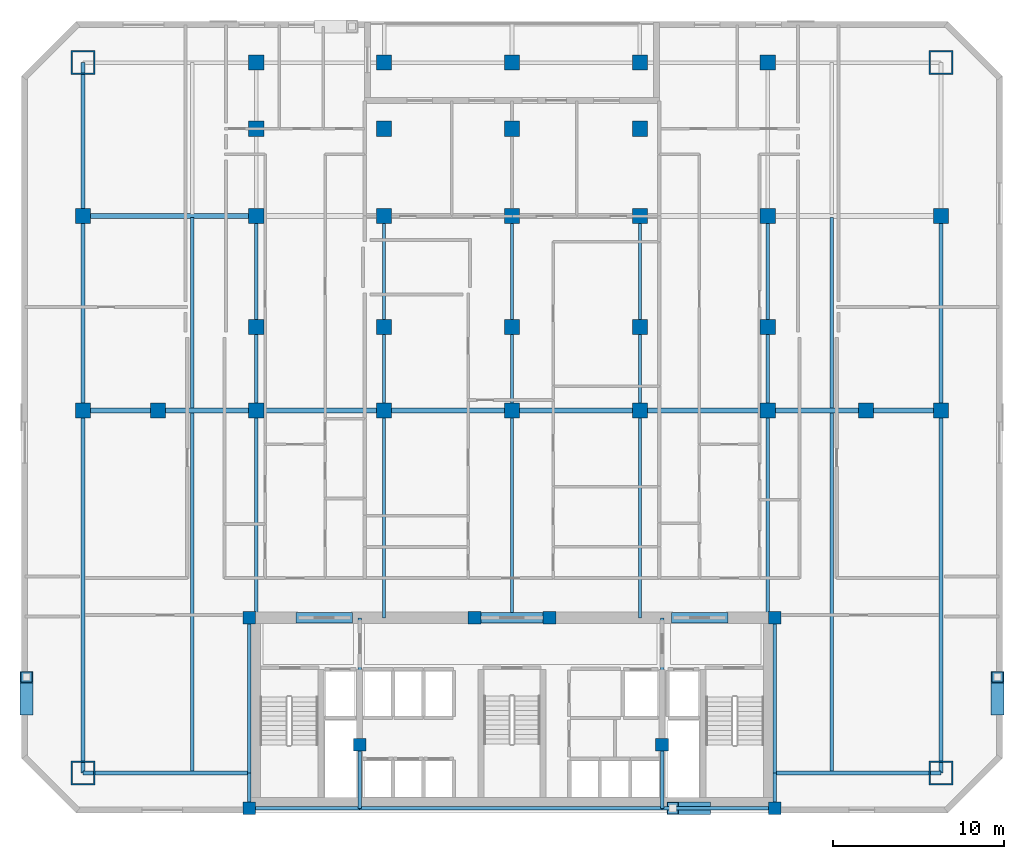
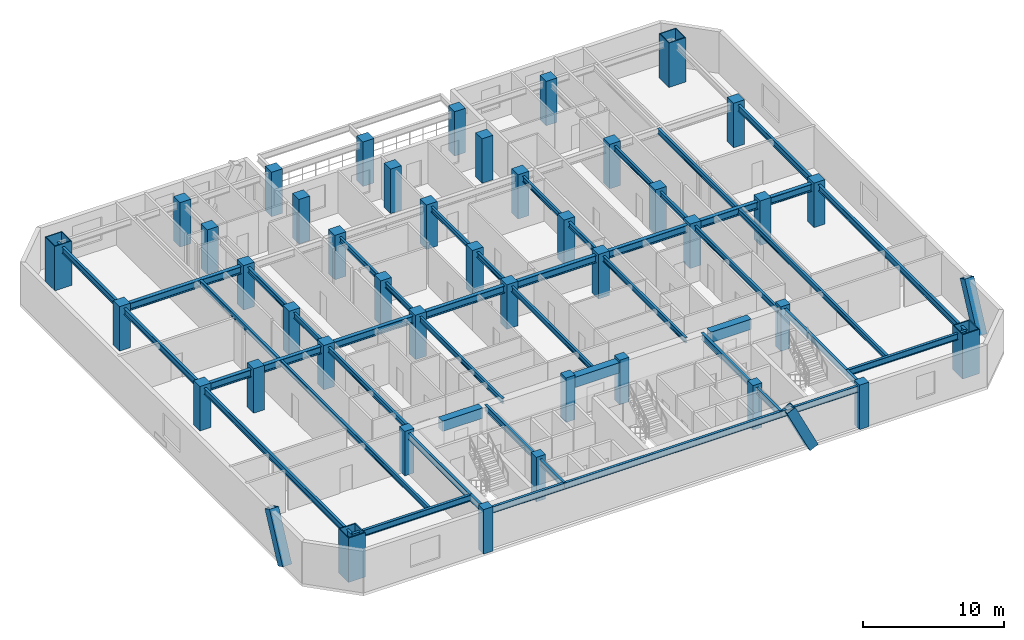
# One storey, part 1 of 9: 44 beams, 42 columns, 3 members.
"""IFC4 building model written with IfcOpenShell, lengths in metres."""

from ifc_helpers import new_model, si_unit, direction, frame, origin, origin_2d, place, context, subcontext, project, spatial, rectangle, hollow_rectangle, i_section, extrude, material, material_profile, profile_set, type_object, element, save


model = new_model("IFC4")

# Units and contexts
model_context = context("Model", 3, precision=1e-05, world=origin(), true_north=direction((0.0, 1.0)))
body_context = subcontext(model_context, "Body", "Model", "MODEL_VIEW")
ifc_project = project(units=[si_unit("LENGTHUNIT", "METRE"), si_unit("AREAUNIT", "SQUARE_METRE"), si_unit("VOLUMEUNIT", "CUBIC_METRE"), si_unit("PLANEANGLEUNIT", "RADIAN"), si_unit("MASSUNIT", "GRAM", prefix="KILO")], contexts=[model_context])

# Site, building, storey
site_placement = place(None, origin())
site = spatial("IfcSite", under=ifc_project, at=site_placement, CompositionType="ELEMENT")
building_placement = place(site_placement, origin())
building = spatial("IfcBuilding", under=site, at=building_placement, Name="Ventersveld Concourse Tower", CompositionType="ELEMENT")
storey_placement = place(building_placement, frame((0.0, 0.0, 68.300048828125)))
storey = spatial("IfcBuildingStorey", under=building, at=storey_placement, Name="L16", CompositionType="ELEMENT", Elevation=68.300048828125)

# Columns
ifc_material_1 = material(Name="Concrete C50/60", Category="concrete")
ifc_material_profile_1 = material_profile(ifc_material_1, rectangle(XDim=0.75, YDim=0.75, at=origin_2d()), Name="RC 750x750")
ifc_profile_set_1 = profile_set([ifc_material_profile_1], Name="Concrete C50/60")
column_type_1 = type_object("IfcColumnType", Name="COL-RC750", PredefinedType="COLUMN", material=ifc_profile_set_1)
for number, where, z_axis, x_axis, name in (
    (1, (13.35009765625, 0.280029296875, 0.0), (0.0, 0.0, 1.0), (1.0, 0.0, 0.0), "L16 Core Spine Column CC-SW"),
    (2, (44.14990234375, 0.280029296875, 0.0), (0.0, 0.0, 1.0), (1.0, 0.0, 0.0), "L16 Core Spine Column CC-SE"),
    (3, (13.35009765625, 11.449951171875, 0.0), (0.0, 0.0, 1.0), (1.0, 0.0, 0.0), "L16 Core Spine Column CC-NW"),
    (4, (44.14990234375, 11.449951171875, 0.0), (0.0, 0.0, 1.0), (1.0, 0.0, 0.0), "L16 Core Spine Column CC-NE"),
    (5, (19.820068359375, 4.0, 0.0), (0.0, 0.0, 1.0), (1.0, 0.0, 0.0), "L16 Core Spine Column CM-1"),
    (6, (37.550048828125, 4.0, 0.0), (0.0, 0.0, 1.0), (1.0, 0.0, 0.0), "L16 Core Spine Column CM-2"),
    (7, (26.550048828125, 11.449951171875, 0.0), (0.0, 0.0, 1.0), (1.0, 0.0, 0.0), "L16 Core Spine Column CM-3"),
    (8, (30.949951171875, 11.449951171875, 0.0), (0.0, 0.0, 1.0), (1.0, 0.0, 0.0), "L16 Core Spine Column CM-4"),
):
    element("IfcColumn", number, at=place(storey_placement, frame(where, z_axis=z_axis, x_axis=x_axis)), inside=storey, type_object=column_type_1, Name=name, PredefinedType="COLUMN", context=body_context, shape_type="SweptSolid", body=[
        extrude(rectangle(XDim=0.75, YDim=0.75, at=origin_2d()), origin(), (0.0, 0.0, 1.0), 3.849853515625),
    ])
ifc_material_2 = material(Name="Concrete C60/75", Category="concrete")
ifc_material_profile_2 = material_profile(ifc_material_2, rectangle(XDim=0.89990234375, YDim=0.89990234375, at=origin_2d()), Name="RC 900x900")
ifc_profile_set_2 = profile_set([ifc_material_profile_2], Name="Concrete C60/75")
column_type_2 = type_object("IfcColumnType", Name="COL-RC900", PredefinedType="COLUMN", material=ifc_profile_set_2)
for number, where, z_axis, x_axis, name in (
    (9, (3.60009765625, 23.60009765625, 0.0), (0.0, 0.0, 1.0), (1.0, 0.0, 0.0), "L16 Interior Gravity Column X=3.60 Y=23.60"),
    (10, (8.0, 23.60009765625, 0.0), (0.0, 0.0, 1.0), (1.0, 0.0, 0.0), "L16 Interior Gravity Column X=8.00 Y=23.60"),
    (11, (13.75, 23.60009765625, 0.0), (0.0, 0.0, 1.0), (1.0, 0.0, 0.0), "L16 Interior Gravity Column X=13.75 Y=23.60"),
    (12, (21.25, 23.60009765625, 0.0), (0.0, 0.0, 1.0), (1.0, 0.0, 0.0), "L16 Interior Gravity Column X=21.25 Y=23.60"),
    (13, (28.75, 23.60009765625, 0.0), (0.0, 0.0, 1.0), (1.0, 0.0, 0.0), "L16 Interior Gravity Column X=28.75 Y=23.60"),
    (14, (36.25, 23.60009765625, 0.0), (0.0, 0.0, 1.0), (1.0, 0.0, 0.0), "L16 Interior Gravity Column X=36.25 Y=23.60"),
    (15, (43.75, 23.60009765625, 0.0), (0.0, 0.0, 1.0), (1.0, 0.0, 0.0), "L16 Interior Gravity Column X=43.75 Y=23.60"),
    (16, (49.5, 23.60009765625, 0.0), (0.0, 0.0, 1.0), (1.0, 0.0, 0.0), "L16 Interior Gravity Column X=49.50 Y=23.60"),
    (17, (53.89990234375, 23.60009765625, 0.0), (0.0, 0.0, 1.0), (1.0, 0.0, 0.0), "L16 Interior Gravity Column X=53.90 Y=23.60"),
    (18, (13.75, 28.5, 0.0), (0.0, 0.0, 1.0), (1.0, 0.0, 0.0), "L16 Upper-North Gravity Column X=13.75 Y=28.50"),
    (19, (21.25, 28.5, 0.0), (0.0, 0.0, 1.0), (1.0, 0.0, 0.0), "L16 Upper-North Gravity Column X=21.25 Y=28.50"),
    (20, (28.75, 28.5, 0.0), (0.0, 0.0, 1.0), (1.0, 0.0, 0.0), "L16 Upper-North Gravity Column X=28.75 Y=28.50"),
    (21, (36.25, 28.5, 0.0), (0.0, 0.0, 1.0), (1.0, 0.0, 0.0), "L16 Upper-North Gravity Column X=36.25 Y=28.50"),
    (22, (43.75, 28.5, 0.0), (0.0, 0.0, 1.0), (1.0, 0.0, 0.0), "L16 Upper-North Gravity Column X=43.75 Y=28.50"),
    (23, (3.60009765625, 35.0, 0.0), (0.0, 0.0, 1.0), (1.0, 0.0, 0.0), "L16 Flank Column X=3.60 Y=35.00"),
    (24, (53.89990234375, 35.0, 0.0), (0.0, 0.0, 1.0), (1.0, 0.0, 0.0), "L16 Flank Column X=53.90 Y=35.00"),
    (25, (13.75, 44.0, 0.0), (0.0, 0.0, 1.0), (1.0, 0.0, 0.0), "L16 North Perimeter Column X=13.75 Y=44.00"),
    (26, (21.25, 44.0, 0.0), (0.0, 0.0, 1.0), (1.0, 0.0, 0.0), "L16 North Perimeter Column X=21.25 Y=44.00"),
    (27, (28.75, 44.0, 0.0), (0.0, 0.0, 1.0), (1.0, 0.0, 0.0), "L16 North Perimeter Column X=28.75 Y=44.00"),
    (28, (36.25, 44.0, 0.0), (0.0, 0.0, 1.0), (1.0, 0.0, 0.0), "L16 North Perimeter Column X=36.25 Y=44.00"),
    (29, (43.75, 44.0, 0.0), (0.0, 0.0, 1.0), (1.0, 0.0, 0.0), "L16 North Perimeter Column X=43.75 Y=44.00"),
    (30, (13.75, 40.1201171875, 0.0), (0.0, 0.0, 1.0), (1.0, 0.0, 0.0), "L16 North Brace Node Column X=13.75 Y=40.12"),
    (31, (21.25, 40.1201171875, 0.0), (0.0, 0.0, 1.0), (1.0, 0.0, 0.0), "L16 North Brace Node Column X=21.25 Y=40.12"),
    (32, (28.75, 40.1201171875, 0.0), (0.0, 0.0, 1.0), (1.0, 0.0, 0.0), "L16 North Brace Node Column X=28.75 Y=40.12"),
    (33, (36.25, 40.1201171875, 0.0), (0.0, 0.0, 1.0), (1.0, 0.0, 0.0), "L16 North Brace Node Column X=36.25 Y=40.12"),
    (34, (13.75, 35.0, 0.0), (0.0, 0.0, 1.0), (1.0, 0.0, 0.0), "L16 Mid-North Column X=13.75 Y=35.00"),
    (35, (21.25, 35.0, 0.0), (0.0, 0.0, 1.0), (1.0, 0.0, 0.0), "L16 Mid-North Column X=21.25 Y=35.00"),
    (36, (28.75, 35.0, 0.0), (0.0, 0.0, 1.0), (1.0, 0.0, 0.0), "L16 Mid-North Column X=28.75 Y=35.00"),
    (37, (36.25, 35.0, 0.0), (0.0, 0.0, 1.0), (1.0, 0.0, 0.0), "L16 Mid-North Column X=36.25 Y=35.00"),
    (38, (43.75, 35.0, 0.0), (0.0, 0.0, 1.0), (1.0, 0.0, 0.0), "L16 Mid-North Column X=43.75 Y=35.00"),
):
    element("IfcColumn", number, at=place(storey_placement, frame(where, z_axis=z_axis, x_axis=x_axis)), inside=storey, type_object=column_type_2, Name=name, PredefinedType="COLUMN", context=body_context, shape_type="SweptSolid", body=[
        extrude(rectangle(XDim=0.89990234375, YDim=0.89990234375, at=origin_2d()), origin(), (0.0, 0.0, 1.0), 3.849853515625),
    ])
ifc_material_3 = material(Name="Structural steel S460ML", Category="steel")
ifc_material_profile_3 = material_profile(ifc_material_3, hollow_rectangle(XDim=1.39990234375, YDim=1.39990234375, WallThickness=0.080078125, at=origin_2d()), Name="BOX 1400x1400x80")
ifc_profile_set_3 = profile_set([ifc_material_profile_3], Name="Structural steel S460ML")
column_type_3 = type_object("IfcColumnType", Name="MC-1400", PredefinedType="USERDEFINED", material=ifc_profile_set_3)
for number, where, z_axis, x_axis, name in (
    (39, (3.60009765625, 2.35009765625, 0.0), (0.0, 0.0, 1.0), (1.0, 0.0, 0.0), "L16 Corner Mega-Column MC-SW"),
    (40, (53.89990234375, 2.35009765625, 0.0), (0.0, 0.0, 1.0), (1.0, 0.0, 0.0), "L16 Corner Mega-Column MC-SE"),
    (41, (53.89990234375, 44.0, 0.0), (0.0, 0.0, 1.0), (1.0, 0.0, 0.0), "L16 Corner Mega-Column MC-NE"),
    (42, (3.60009765625, 44.0, 0.0), (0.0, 0.0, 1.0), (1.0, 0.0, 0.0), "L16 Corner Mega-Column MC-NW"),
):
    element("IfcColumn", number, at=place(storey_placement, frame(where, z_axis=z_axis, x_axis=x_axis)), inside=storey, type_object=column_type_3, Name=name, ObjectType="MEGA_COLUMN", PredefinedType="USERDEFINED", context=body_context, shape_type="SweptSolid", body=[
        extrude(hollow_rectangle(XDim=1.39990234375, YDim=1.39990234375, WallThickness=0.080078125, at=origin_2d()), origin(), (0.0, 0.0, 1.0), 3.849853515625),
    ])

# Beams
ifc_material_4 = material(Name="Structural steel S355J2", Category="steel")
ifc_material_profile_4 = material_profile(ifc_material_4, i_section(OverallWidth=0.19140625, OverallDepth=0.4599609375, WebThickness=0.010009765625, FlangeThickness=0.01611328125, FilletRadius=0.01025390625, at=origin_2d()), Name="UB 457x191x82")
ifc_profile_set_4 = profile_set([ifc_material_profile_4], Name="Structural steel S355J2")
beam_type_1 = type_object("IfcBeamType", Name="BM-UB457H", PredefinedType="BEAM", material=ifc_profile_set_4)
beam_1_placement = place(storey_placement, frame((10.0, 2.35009765625, 3.369873046875), z_axis=(0.0, 1.0, 0.0), x_axis=(-1.0, 0.0, 0.0)))
element("IfcBeam", 43, at=beam_1_placement, inside=storey, type_object=beam_type_1, Name="L16 N-S Composite Floor Beam South X=10.00", PredefinedType="BEAM", context=body_context, shape_type="SweptSolid", body=[
    extrude(i_section(OverallWidth=0.19140625, OverallDepth=0.4599609375, WebThickness=0.010009765625, FlangeThickness=0.01611328125, FilletRadius=0.01025390625, at=origin_2d()), origin(), (0.0, 0.0, 1.0), 21.15478515625),
])
beam_2_placement = place(storey_placement, frame((10.0, 23.695068359375, 3.369873046875), z_axis=(0.0, 1.0, 0.0), x_axis=(-1.0, 0.0, 0.0)))
element("IfcBeam", 44, at=beam_2_placement, inside=storey, type_object=beam_type_1, Name="L16 N-S Composite Floor Beam Mid X=10.00", PredefinedType="BEAM", context=body_context, shape_type="SweptSolid", body=[
    extrude(i_section(OverallWidth=0.19140625, OverallDepth=0.4599609375, WebThickness=0.010009765625, FlangeThickness=0.01611328125, FilletRadius=0.01025390625, at=origin_2d()), origin(), (0.0, 0.0, 1.0), 11.2099609375),
])
beam_3_placement = place(storey_placement, frame((13.75, 11.449951171875, 3.369873046875), z_axis=(0.0, 1.0, 0.0), x_axis=(-1.0, 0.0, 0.0)))
element("IfcBeam", 45, at=beam_3_placement, inside=storey, type_object=beam_type_1, Name="L16 N-S Composite Floor Beam South X=13.75", PredefinedType="BEAM", context=body_context, shape_type="SweptSolid", body=[
    extrude(i_section(OverallWidth=0.19140625, OverallDepth=0.4599609375, WebThickness=0.010009765625, FlangeThickness=0.01611328125, FilletRadius=0.01025390625, at=origin_2d()), origin(), (0.0, 0.0, 1.0), 12.150146484375),
])
beam_4_placement = place(storey_placement, frame((13.75, 23.60009765625, 3.369873046875), z_axis=(0.0, 1.0, 0.0), x_axis=(-1.0, 0.0, 0.0)))
element("IfcBeam", 46, at=beam_4_placement, inside=storey, type_object=beam_type_1, Name="L16 N-S Composite Floor Beam Mid X=13.75", PredefinedType="BEAM", context=body_context, shape_type="SweptSolid", body=[
    extrude(i_section(OverallWidth=0.19140625, OverallDepth=0.4599609375, WebThickness=0.010009765625, FlangeThickness=0.01611328125, FilletRadius=0.01025390625, at=origin_2d()), origin(), (0.0, 0.0, 1.0), 11.39990234375),
])
beam_5_placement = place(storey_placement, frame((21.25, 11.449951171875, 3.369873046875), z_axis=(0.0, 1.0, 0.0), x_axis=(-1.0, 0.0, 0.0)))
element("IfcBeam", 47, at=beam_5_placement, inside=storey, type_object=beam_type_1, Name="L16 N-S Composite Floor Beam South X=21.25", PredefinedType="BEAM", context=body_context, shape_type="SweptSolid", body=[
    extrude(i_section(OverallWidth=0.19140625, OverallDepth=0.4599609375, WebThickness=0.010009765625, FlangeThickness=0.01611328125, FilletRadius=0.01025390625, at=origin_2d()), origin(), (0.0, 0.0, 1.0), 12.150146484375),
])
beam_6_placement = place(storey_placement, frame((21.25, 23.60009765625, 3.369873046875), z_axis=(0.0, 1.0, 0.0), x_axis=(-1.0, 0.0, 0.0)))
element("IfcBeam", 48, at=beam_6_placement, inside=storey, type_object=beam_type_1, Name="L16 N-S Composite Floor Beam Mid X=21.25", PredefinedType="BEAM", context=body_context, shape_type="SweptSolid", body=[
    extrude(i_section(OverallWidth=0.19140625, OverallDepth=0.4599609375, WebThickness=0.010009765625, FlangeThickness=0.01611328125, FilletRadius=0.01025390625, at=origin_2d()), origin(), (0.0, 0.0, 1.0), 11.39990234375),
])
beam_7_placement = place(storey_placement, frame((28.75, 11.449951171875, 3.369873046875), z_axis=(0.0, 1.0, 0.0), x_axis=(-1.0, 0.0, 0.0)))
element("IfcBeam", 49, at=beam_7_placement, inside=storey, type_object=beam_type_1, Name="L16 N-S Composite Floor Beam South X=28.75", PredefinedType="BEAM", context=body_context, shape_type="SweptSolid", body=[
    extrude(i_section(OverallWidth=0.19140625, OverallDepth=0.4599609375, WebThickness=0.010009765625, FlangeThickness=0.01611328125, FilletRadius=0.01025390625, at=origin_2d()), origin(), (0.0, 0.0, 1.0), 12.150146484375),
])
beam_8_placement = place(storey_placement, frame((28.75, 23.60009765625, 3.369873046875), z_axis=(0.0, 1.0, 0.0), x_axis=(-1.0, 0.0, 0.0)))
element("IfcBeam", 50, at=beam_8_placement, inside=storey, type_object=beam_type_1, Name="L16 N-S Composite Floor Beam Mid X=28.75", PredefinedType="BEAM", context=body_context, shape_type="SweptSolid", body=[
    extrude(i_section(OverallWidth=0.19140625, OverallDepth=0.4599609375, WebThickness=0.010009765625, FlangeThickness=0.01611328125, FilletRadius=0.01025390625, at=origin_2d()), origin(), (0.0, 0.0, 1.0), 11.39990234375),
])
beam_9_placement = place(storey_placement, frame((36.25, 11.449951171875, 3.369873046875), z_axis=(0.0, 1.0, 0.0), x_axis=(-1.0, 0.0, 0.0)))
element("IfcBeam", 51, at=beam_9_placement, inside=storey, type_object=beam_type_1, Name="L16 N-S Composite Floor Beam South X=36.25", PredefinedType="BEAM", context=body_context, shape_type="SweptSolid", body=[
    extrude(i_section(OverallWidth=0.19140625, OverallDepth=0.4599609375, WebThickness=0.010009765625, FlangeThickness=0.01611328125, FilletRadius=0.01025390625, at=origin_2d()), origin(), (0.0, 0.0, 1.0), 12.150146484375),
])
beam_10_placement = place(storey_placement, frame((36.25, 23.60009765625, 3.369873046875), z_axis=(0.0, 1.0, 0.0), x_axis=(-1.0, 0.0, 0.0)))
element("IfcBeam", 52, at=beam_10_placement, inside=storey, type_object=beam_type_1, Name="L16 N-S Composite Floor Beam Mid X=36.25", PredefinedType="BEAM", context=body_context, shape_type="SweptSolid", body=[
    extrude(i_section(OverallWidth=0.19140625, OverallDepth=0.4599609375, WebThickness=0.010009765625, FlangeThickness=0.01611328125, FilletRadius=0.01025390625, at=origin_2d()), origin(), (0.0, 0.0, 1.0), 11.39990234375),
])
beam_11_placement = place(storey_placement, frame((43.75, 11.449951171875, 3.369873046875), z_axis=(0.0, 1.0, 0.0), x_axis=(-1.0, 0.0, 0.0)))
element("IfcBeam", 53, at=beam_11_placement, inside=storey, type_object=beam_type_1, Name="L16 N-S Composite Floor Beam South X=43.75", PredefinedType="BEAM", context=body_context, shape_type="SweptSolid", body=[
    extrude(i_section(OverallWidth=0.19140625, OverallDepth=0.4599609375, WebThickness=0.010009765625, FlangeThickness=0.01611328125, FilletRadius=0.01025390625, at=origin_2d()), origin(), (0.0, 0.0, 1.0), 12.150146484375),
])
beam_12_placement = place(storey_placement, frame((43.75, 23.60009765625, 3.369873046875), z_axis=(0.0, 1.0, 0.0), x_axis=(-1.0, 0.0, 0.0)))
element("IfcBeam", 54, at=beam_12_placement, inside=storey, type_object=beam_type_1, Name="L16 N-S Composite Floor Beam Mid X=43.75", PredefinedType="BEAM", context=body_context, shape_type="SweptSolid", body=[
    extrude(i_section(OverallWidth=0.19140625, OverallDepth=0.4599609375, WebThickness=0.010009765625, FlangeThickness=0.01611328125, FilletRadius=0.01025390625, at=origin_2d()), origin(), (0.0, 0.0, 1.0), 11.39990234375),
])
beam_13_placement = place(storey_placement, frame((47.5, 2.35009765625, 3.369873046875), z_axis=(0.0, 1.0, 0.0), x_axis=(-1.0, 0.0, 0.0)))
element("IfcBeam", 55, at=beam_13_placement, inside=storey, type_object=beam_type_1, Name="L16 N-S Composite Floor Beam South X=47.50", PredefinedType="BEAM", context=body_context, shape_type="SweptSolid", body=[
    extrude(i_section(OverallWidth=0.19140625, OverallDepth=0.4599609375, WebThickness=0.010009765625, FlangeThickness=0.01611328125, FilletRadius=0.01025390625, at=origin_2d()), origin(), (0.0, 0.0, 1.0), 21.15478515625),
])
beam_14_placement = place(storey_placement, frame((47.5, 23.695068359375, 3.369873046875), z_axis=(0.0, 1.0, 0.0), x_axis=(-1.0, 0.0, 0.0)))
element("IfcBeam", 56, at=beam_14_placement, inside=storey, type_object=beam_type_1, Name="L16 N-S Composite Floor Beam Mid X=47.50", PredefinedType="BEAM", context=body_context, shape_type="SweptSolid", body=[
    extrude(i_section(OverallWidth=0.19140625, OverallDepth=0.4599609375, WebThickness=0.010009765625, FlangeThickness=0.01611328125, FilletRadius=0.01025390625, at=origin_2d()), origin(), (0.0, 0.0, 1.0), 11.2099609375),
])
ifc_material_profile_5 = material_profile(ifc_material_2, rectangle(XDim=0.60009765625, YDim=0.89990234375, at=origin_2d()), Name="RC 600x900")
ifc_profile_set_5 = profile_set([ifc_material_profile_5], Name="Concrete C60/75")
beam_type_2 = type_object("IfcBeamType", Name="CB-RC600x900L", PredefinedType="LINTEL", material=ifc_profile_set_5)
beam_15_placement = place(storey_placement, frame((16.10009765625, 11.449951171875, 3.14990234375), z_axis=(1.0, 0.0, 0.0), x_axis=(0.0, 1.0, 0.0)))
element("IfcBeam", 57, at=beam_15_placement, inside=storey, type_object=beam_type_2, Name="L16 Core Coupling Lintel Beam 1", PredefinedType="LINTEL", context=body_context, shape_type="SweptSolid", body=[
    extrude(rectangle(XDim=0.60009765625, YDim=0.89990234375, at=origin_2d()), origin(), (0.0, 0.0, 1.0), 3.2998046875),
])
beam_16_placement = place(storey_placement, frame((26.5, 11.449951171875, 3.14990234375), z_axis=(1.0, 0.0, 0.0), x_axis=(0.0, 1.0, 0.0)))
element("IfcBeam", 58, at=beam_16_placement, inside=storey, type_object=beam_type_2, Name="L16 Core Coupling Lintel Beam 2", PredefinedType="LINTEL", context=body_context, shape_type="SweptSolid", body=[
    extrude(rectangle(XDim=0.60009765625, YDim=0.89990234375, at=origin_2d()), origin(), (0.0, 0.0, 1.0), 4.5),
])
beam_17_placement = place(storey_placement, frame((38.10009765625, 11.449951171875, 3.14990234375), z_axis=(1.0, 0.0, 0.0), x_axis=(0.0, 1.0, 0.0)))
element("IfcBeam", 59, at=beam_17_placement, inside=storey, type_object=beam_type_2, Name="L16 Core Coupling Lintel Beam 3", PredefinedType="LINTEL", context=body_context, shape_type="SweptSolid", body=[
    extrude(rectangle(XDim=0.60009765625, YDim=0.89990234375, at=origin_2d()), origin(), (0.0, 0.0, 1.0), 3.2998046875),
])
ifc_material_profile_6 = material_profile(ifc_material_4, i_section(OverallWidth=0.2119140625, OverallDepth=0.54443359375, WebThickness=0.0126953125, FlangeThickness=0.021240234375, FilletRadius=0.0126953125, at=origin_2d()), Name="UB 533x210x122")
ifc_profile_set_6 = profile_set([ifc_material_profile_6], Name="Structural steel S355J2")
beam_type_3 = type_object("IfcBeamType", Name="GRD-UB533H", PredefinedType="T_BEAM", material=ifc_profile_set_6)
beam_18_placement = place(storey_placement, frame((13.35009765625, 0.280029296875, 3.32763671875), z_axis=(0.0, 1.0, 0.0), x_axis=(-1.0, 0.0, 0.0)))
element("IfcBeam", 60, at=beam_18_placement, inside=storey, type_object=beam_type_3, Name="L16 Core West Tie Beam S", PredefinedType="T_BEAM", context=body_context, shape_type="SweptSolid", body=[
    extrude(i_section(OverallWidth=0.2119140625, OverallDepth=0.54443359375, WebThickness=0.0126953125, FlangeThickness=0.021240234375, FilletRadius=0.0126953125, at=origin_2d()), origin(), (0.0, 0.0, 1.0), 2.070068359375),
])
beam_19_placement = place(storey_placement, frame((13.35009765625, 2.35009765625, 3.32763671875), z_axis=(0.0, 1.0, 0.0), x_axis=(-1.0, 0.0, 0.0)))
element("IfcBeam", 61, at=beam_19_placement, inside=storey, type_object=beam_type_3, Name="L16 Core West Tie Beam N", PredefinedType="T_BEAM", context=body_context, shape_type="SweptSolid", body=[
    extrude(i_section(OverallWidth=0.2119140625, OverallDepth=0.54443359375, WebThickness=0.0126953125, FlangeThickness=0.021240234375, FilletRadius=0.0126953125, at=origin_2d()), origin(), (0.0, 0.0, 1.0), 9.099853515625),
])
beam_20_placement = place(storey_placement, frame((44.14990234375, 0.280029296875, 3.32763671875), z_axis=(0.0, 1.0, 0.0), x_axis=(-1.0, 0.0, 0.0)))
element("IfcBeam", 62, at=beam_20_placement, inside=storey, type_object=beam_type_3, Name="L16 Core East Tie Beam S", PredefinedType="T_BEAM", context=body_context, shape_type="SweptSolid", body=[
    extrude(i_section(OverallWidth=0.2119140625, OverallDepth=0.54443359375, WebThickness=0.0126953125, FlangeThickness=0.021240234375, FilletRadius=0.0126953125, at=origin_2d()), origin(), (0.0, 0.0, 1.0), 2.070068359375),
])
beam_21_placement = place(storey_placement, frame((44.14990234375, 2.35009765625, 3.32763671875), z_axis=(0.0, 1.0, 0.0), x_axis=(-1.0, 0.0, 0.0)))
element("IfcBeam", 63, at=beam_21_placement, inside=storey, type_object=beam_type_3, Name="L16 Core East Tie Beam N", PredefinedType="T_BEAM", context=body_context, shape_type="SweptSolid", body=[
    extrude(i_section(OverallWidth=0.2119140625, OverallDepth=0.54443359375, WebThickness=0.0126953125, FlangeThickness=0.021240234375, FilletRadius=0.0126953125, at=origin_2d()), origin(), (0.0, 0.0, 1.0), 9.099853515625),
])
beam_22_placement = place(storey_placement, frame((13.35009765625, 0.280029296875, 3.32763671875), z_axis=(1.0, 0.0, 0.0), x_axis=(0.0, 1.0, 0.0)))
element("IfcBeam", 64, at=beam_22_placement, inside=storey, type_object=beam_type_3, Name="L16 Core South Tie Beam W", PredefinedType="T_BEAM", context=body_context, shape_type="SweptSolid", body=[
    extrude(i_section(OverallWidth=0.2119140625, OverallDepth=0.54443359375, WebThickness=0.0126953125, FlangeThickness=0.021240234375, FilletRadius=0.0126953125, at=origin_2d()), origin(), (0.0, 0.0, 1.0), 6.469970703125),
])
beam_23_placement = place(storey_placement, frame((19.820068359375, 0.280029296875, 3.32763671875), z_axis=(1.0, 0.0, 0.0), x_axis=(0.0, 1.0, 0.0)))
element("IfcBeam", 65, at=beam_23_placement, inside=storey, type_object=beam_type_3, Name="L16 Core South Tie Beam C", PredefinedType="T_BEAM", context=body_context, shape_type="SweptSolid", body=[
    extrude(i_section(OverallWidth=0.2119140625, OverallDepth=0.54443359375, WebThickness=0.0126953125, FlangeThickness=0.021240234375, FilletRadius=0.0126953125, at=origin_2d()), origin(), (0.0, 0.0, 1.0), 17.72998046875),
])
beam_24_placement = place(storey_placement, frame((37.550048828125, 0.280029296875, 3.32763671875), z_axis=(1.0, 0.0, 0.0), x_axis=(0.0, 1.0, 0.0)))
element("IfcBeam", 66, at=beam_24_placement, inside=storey, type_object=beam_type_3, Name="L16 Core South Tie Beam E", PredefinedType="T_BEAM", context=body_context, shape_type="SweptSolid", body=[
    extrude(i_section(OverallWidth=0.2119140625, OverallDepth=0.54443359375, WebThickness=0.0126953125, FlangeThickness=0.021240234375, FilletRadius=0.0126953125, at=origin_2d()), origin(), (0.0, 0.0, 1.0), 6.599853515625),
])
beam_25_placement = place(storey_placement, frame((19.820068359375, 0.280029296875, 3.32763671875), z_axis=(0.0, 1.0, 0.0), x_axis=(-1.0, 0.0, 0.0)))
element("IfcBeam", 67, at=beam_25_placement, inside=storey, type_object=beam_type_3, Name="L16 Core Spine N-S Tie Beam W1", PredefinedType="T_BEAM", context=body_context, shape_type="SweptSolid", body=[
    extrude(i_section(OverallWidth=0.2119140625, OverallDepth=0.54443359375, WebThickness=0.0126953125, FlangeThickness=0.021240234375, FilletRadius=0.0126953125, at=origin_2d()), origin(), (0.0, 0.0, 1.0), 3.719970703125),
])
beam_26_placement = place(storey_placement, frame((19.820068359375, 4.0, 3.32763671875), z_axis=(0.0, 1.0, 0.0), x_axis=(-1.0, 0.0, 0.0)))
element("IfcBeam", 68, at=beam_26_placement, inside=storey, type_object=beam_type_3, Name="L16 Core Spine N-S Tie Beam W2", PredefinedType="T_BEAM", context=body_context, shape_type="SweptSolid", body=[
    extrude(i_section(OverallWidth=0.2119140625, OverallDepth=0.54443359375, WebThickness=0.0126953125, FlangeThickness=0.021240234375, FilletRadius=0.0126953125, at=origin_2d()), origin(), (0.0, 0.0, 1.0), 7.449951171875),
])
beam_27_placement = place(storey_placement, frame((37.550048828125, 0.280029296875, 3.32763671875), z_axis=(0.0, 1.0, 0.0), x_axis=(-1.0, 0.0, 0.0)))
element("IfcBeam", 69, at=beam_27_placement, inside=storey, type_object=beam_type_3, Name="L16 Core Spine N-S Tie Beam E1", PredefinedType="T_BEAM", context=body_context, shape_type="SweptSolid", body=[
    extrude(i_section(OverallWidth=0.2119140625, OverallDepth=0.54443359375, WebThickness=0.0126953125, FlangeThickness=0.021240234375, FilletRadius=0.0126953125, at=origin_2d()), origin(), (0.0, 0.0, 1.0), 3.719970703125),
])
beam_28_placement = place(storey_placement, frame((37.550048828125, 4.0, 3.32763671875), z_axis=(0.0, 1.0, 0.0), x_axis=(-1.0, 0.0, 0.0)))
element("IfcBeam", 70, at=beam_28_placement, inside=storey, type_object=beam_type_3, Name="L16 Core Spine N-S Tie Beam E2", PredefinedType="T_BEAM", context=body_context, shape_type="SweptSolid", body=[
    extrude(i_section(OverallWidth=0.2119140625, OverallDepth=0.54443359375, WebThickness=0.0126953125, FlangeThickness=0.021240234375, FilletRadius=0.0126953125, at=origin_2d()), origin(), (0.0, 0.0, 1.0), 7.449951171875),
])
ifc_material_profile_7 = material_profile(ifc_material_4, i_section(OverallWidth=0.311279296875, OverallDepth=0.6357421875, WebThickness=0.018310546875, FlangeThickness=0.031494140625, FilletRadius=0.0166015625, at=origin_2d()), Name="UB 610x305x238")
ifc_profile_set_7 = profile_set([ifc_material_profile_7], Name="Structural steel S355J2")
beam_type_4 = type_object("IfcBeamType", Name="GRD-UB610H", PredefinedType="USERDEFINED", material=ifc_profile_set_7)
beam_29_placement = place(storey_placement, frame((3.60009765625, 23.60009765625, 3.281982421875), z_axis=(1.0, 0.0, 0.0), x_axis=(0.0, 1.0, 0.0)))
element("IfcBeam", 71, at=beam_29_placement, inside=storey, type_object=beam_type_4, Name="L16 Primary E-W Grid Girder Y=23.60 #1", ObjectType="GIRDER", PredefinedType="USERDEFINED", context=body_context, shape_type="SweptSolid", body=[
    extrude(i_section(OverallWidth=0.311279296875, OverallDepth=0.6357421875, WebThickness=0.018310546875, FlangeThickness=0.031494140625, FilletRadius=0.0166015625, at=origin_2d()), origin(), (0.0, 0.0, 1.0), 4.39990234375),
])
beam_30_placement = place(storey_placement, frame((8.0, 23.60009765625, 3.281982421875), z_axis=(1.0, 0.0, 0.0), x_axis=(0.0, 1.0, 0.0)))
element("IfcBeam", 72, at=beam_30_placement, inside=storey, type_object=beam_type_4, Name="L16 Primary E-W Grid Girder Y=23.60 #2", ObjectType="GIRDER", PredefinedType="USERDEFINED", context=body_context, shape_type="SweptSolid", body=[
    extrude(i_section(OverallWidth=0.311279296875, OverallDepth=0.6357421875, WebThickness=0.018310546875, FlangeThickness=0.031494140625, FilletRadius=0.0166015625, at=origin_2d()), origin(), (0.0, 0.0, 1.0), 5.75),
])
for number, where, z_axis, x_axis, name in (
    (73, (13.75, 23.60009765625, 3.281982421875), (1.0, 0.0, 0.0), (0.0, 1.0, 0.0), "L16 Primary E-W Grid Girder Y=23.60 #3"),
    (74, (21.25, 23.60009765625, 3.281982421875), (1.0, 0.0, 0.0), (0.0, 1.0, 0.0), "L16 Primary E-W Grid Girder Y=23.60 #4"),
    (75, (28.75, 23.60009765625, 3.281982421875), (1.0, 0.0, 0.0), (0.0, 1.0, 0.0), "L16 Primary E-W Grid Girder Y=23.60 #5"),
    (76, (36.25, 23.60009765625, 3.281982421875), (1.0, 0.0, 0.0), (0.0, 1.0, 0.0), "L16 Primary E-W Grid Girder Y=23.60 #6"),
):
    element("IfcBeam", number, at=place(storey_placement, frame(where, z_axis=z_axis, x_axis=x_axis)), inside=storey, type_object=beam_type_4, Name=name, ObjectType="GIRDER", PredefinedType="USERDEFINED", context=body_context, shape_type="SweptSolid", body=[
        extrude(i_section(OverallWidth=0.311279296875, OverallDepth=0.6357421875, WebThickness=0.018310546875, FlangeThickness=0.031494140625, FilletRadius=0.0166015625, at=origin_2d()), origin(), (0.0, 0.0, 1.0), 7.5),
    ])
beam_31_placement = place(storey_placement, frame((43.75, 23.60009765625, 3.281982421875), z_axis=(1.0, 0.0, 0.0), x_axis=(0.0, 1.0, 0.0)))
element("IfcBeam", 77, at=beam_31_placement, inside=storey, type_object=beam_type_4, Name="L16 Primary E-W Grid Girder Y=23.60 #7", ObjectType="GIRDER", PredefinedType="USERDEFINED", context=body_context, shape_type="SweptSolid", body=[
    extrude(i_section(OverallWidth=0.311279296875, OverallDepth=0.6357421875, WebThickness=0.018310546875, FlangeThickness=0.031494140625, FilletRadius=0.0166015625, at=origin_2d()), origin(), (0.0, 0.0, 1.0), 5.75),
])
beam_32_placement = place(storey_placement, frame((49.5, 23.60009765625, 3.281982421875), z_axis=(1.0, 0.0, 0.0), x_axis=(0.0, 1.0, 0.0)))
element("IfcBeam", 78, at=beam_32_placement, inside=storey, type_object=beam_type_4, Name="L16 Primary E-W Grid Girder Y=23.60 #8", ObjectType="GIRDER", PredefinedType="USERDEFINED", context=body_context, shape_type="SweptSolid", body=[
    extrude(i_section(OverallWidth=0.311279296875, OverallDepth=0.6357421875, WebThickness=0.018310546875, FlangeThickness=0.031494140625, FilletRadius=0.0166015625, at=origin_2d()), origin(), (0.0, 0.0, 1.0), 4.39990234375),
])
beam_33_placement = place(storey_placement, frame((3.60009765625, 35.0, 3.281982421875), z_axis=(1.0, 0.0, 0.0), x_axis=(0.0, 1.0, 0.0)))
element("IfcBeam", 79, at=beam_33_placement, inside=storey, type_object=beam_type_4, Name="L16 E-W Grid Girder Y=35.00 #1", ObjectType="GIRDER", PredefinedType="USERDEFINED", context=body_context, shape_type="SweptSolid", body=[
    extrude(i_section(OverallWidth=0.311279296875, OverallDepth=0.6357421875, WebThickness=0.018310546875, FlangeThickness=0.031494140625, FilletRadius=0.0166015625, at=origin_2d()), origin(), (0.0, 0.0, 1.0), 10.14990234375),
])

# Members
ifc_material_5 = material(Name="Structural steel S355ML", Category="steel")
ifc_material_profile_8 = material_profile(ifc_material_5, hollow_rectangle(XDim=0.75, YDim=0.75, WallThickness=0.044921875, at=origin_2d()), Name="BOX 750x750x45")
ifc_profile_set_8 = profile_set([ifc_material_profile_8], Name="Structural steel S355ML")
member_type = type_object("IfcMemberType", Name="MB-750x750", PredefinedType="BRACE", material=ifc_profile_set_8)
for number, where, z_axis, x_axis, name in (
    (80, (40.050048828125, 0.280029296875, -0.25), (-0.437861906815, 0.0, 0.899042240699), (0.0, -1.0, 0.0), "L16 Exterior Mega-Brace S (Module M03)"),
    (81, (0.280029296875, 6.10009765625, -0.25), (0.0, 0.437861906815, 0.899042240699), (-1.0, 0.0, 0.0), "L16 Exterior Mega-Brace W (Module M03)"),
    (82, (57.219970703125, 6.10009765625, -0.25), (0.0, 0.437861906815, 0.899042240699), (-1.0, 0.0, 0.0), "L16 Exterior Mega-Brace E (Module M03)"),
):
    element("IfcMember", number, at=place(storey_placement, frame(where, z_axis=z_axis, x_axis=x_axis)), inside=storey, type_object=member_type, Name=name, PredefinedType="BRACE", context=body_context, shape_type="SweptSolid", body=[
        extrude(hollow_rectangle(XDim=0.75, YDim=0.75, WallThickness=0.044921875, at=origin_2d()), origin(), (0.0, 0.0, 1.0), 4.2822265625),
    ])

# Beams
ifc_material_profile_9 = material_profile(ifc_material_4, i_section(OverallWidth=0.2119140625, OverallDepth=0.54443359375, WebThickness=0.0126953125, FlangeThickness=0.021240234375, FilletRadius=0.0126953125, at=origin_2d()), Name="UB 533x210x122")
ifc_profile_set_9 = profile_set([ifc_material_profile_9], Name="Structural steel S355J2")
beam_type_5 = type_object("IfcBeamType", Name="SPD-UB533", PredefinedType="SPANDREL", material=ifc_profile_set_9)
for number, where, z_axis, x_axis, name in (
    (83, (3.60009765625, 2.35009765625, 3.32763671875), (1.0, 0.0, 0.0), (0.0, 1.0, 0.0), "L16 SW Spandrel Beam"),
    (84, (44.14990234375, 2.35009765625, 3.32763671875), (1.0, 0.0, 0.0), (0.0, 1.0, 0.0), "L16 SE Spandrel Beam"),
):
    element("IfcBeam", number, at=place(storey_placement, frame(where, z_axis=z_axis, x_axis=x_axis)), inside=storey, type_object=beam_type_5, Name=name, PredefinedType="SPANDREL", context=body_context, shape_type="SweptSolid", body=[
        extrude(i_section(OverallWidth=0.2119140625, OverallDepth=0.54443359375, WebThickness=0.0126953125, FlangeThickness=0.021240234375, FilletRadius=0.0126953125, at=origin_2d()), origin(), (0.0, 0.0, 1.0), 9.75),
    ])
beam_34_placement = place(storey_placement, frame((3.60009765625, 2.35009765625, 3.32763671875), z_axis=(0.0, 1.0, 0.0), x_axis=(-1.0, 0.0, 0.0)))
element("IfcBeam", 85, at=beam_34_placement, inside=storey, type_object=beam_type_5, Name="L16 West Spandrel Beam S", PredefinedType="SPANDREL", context=body_context, shape_type="SweptSolid", body=[
    extrude(i_section(OverallWidth=0.2119140625, OverallDepth=0.54443359375, WebThickness=0.0126953125, FlangeThickness=0.021240234375, FilletRadius=0.0126953125, at=origin_2d()), origin(), (0.0, 0.0, 1.0), 21.25),
])
beam_35_placement = place(storey_placement, frame((3.60009765625, 23.60009765625, 3.32763671875), z_axis=(0.0, 1.0, 0.0), x_axis=(-1.0, 0.0, 0.0)))
element("IfcBeam", 86, at=beam_35_placement, inside=storey, type_object=beam_type_5, Name="L16 West Spandrel Beam M", PredefinedType="SPANDREL", context=body_context, shape_type="SweptSolid", body=[
    extrude(i_section(OverallWidth=0.2119140625, OverallDepth=0.54443359375, WebThickness=0.0126953125, FlangeThickness=0.021240234375, FilletRadius=0.0126953125, at=origin_2d()), origin(), (0.0, 0.0, 1.0), 11.39990234375),
])
beam_36_placement = place(storey_placement, frame((3.60009765625, 35.0, 3.32763671875), z_axis=(0.0, 1.0, 0.0), x_axis=(-1.0, 0.0, 0.0)))
element("IfcBeam", 87, at=beam_36_placement, inside=storey, type_object=beam_type_5, Name="L16 West Spandrel Beam N", PredefinedType="SPANDREL", context=body_context, shape_type="SweptSolid", body=[
    extrude(i_section(OverallWidth=0.2119140625, OverallDepth=0.54443359375, WebThickness=0.0126953125, FlangeThickness=0.021240234375, FilletRadius=0.0126953125, at=origin_2d()), origin(), (0.0, 0.0, 1.0), 9.0),
])
beam_37_placement = place(storey_placement, frame((53.89990234375, 2.35009765625, 3.32763671875), z_axis=(0.0, 1.0, 0.0), x_axis=(-1.0, 0.0, 0.0)))
element("IfcBeam", 88, at=beam_37_placement, inside=storey, type_object=beam_type_5, Name="L16 East Spandrel Beam S", PredefinedType="SPANDREL", context=body_context, shape_type="SweptSolid", body=[
    extrude(i_section(OverallWidth=0.2119140625, OverallDepth=0.54443359375, WebThickness=0.0126953125, FlangeThickness=0.021240234375, FilletRadius=0.0126953125, at=origin_2d()), origin(), (0.0, 0.0, 1.0), 21.25),
])
beam_38_placement = place(storey_placement, frame((53.89990234375, 23.60009765625, 3.32763671875), z_axis=(0.0, 1.0, 0.0), x_axis=(-1.0, 0.0, 0.0)))
element("IfcBeam", 89, at=beam_38_placement, inside=storey, type_object=beam_type_5, Name="L16 East Spandrel Beam M", PredefinedType="SPANDREL", context=body_context, shape_type="SweptSolid", body=[
    extrude(i_section(OverallWidth=0.2119140625, OverallDepth=0.54443359375, WebThickness=0.0126953125, FlangeThickness=0.021240234375, FilletRadius=0.0126953125, at=origin_2d()), origin(), (0.0, 0.0, 1.0), 11.39990234375),
])

save(model, "model.ifc")
